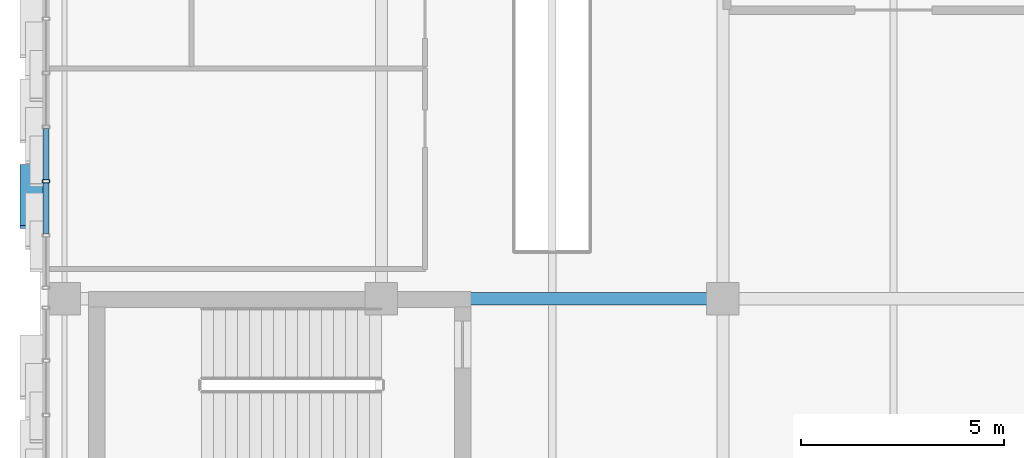
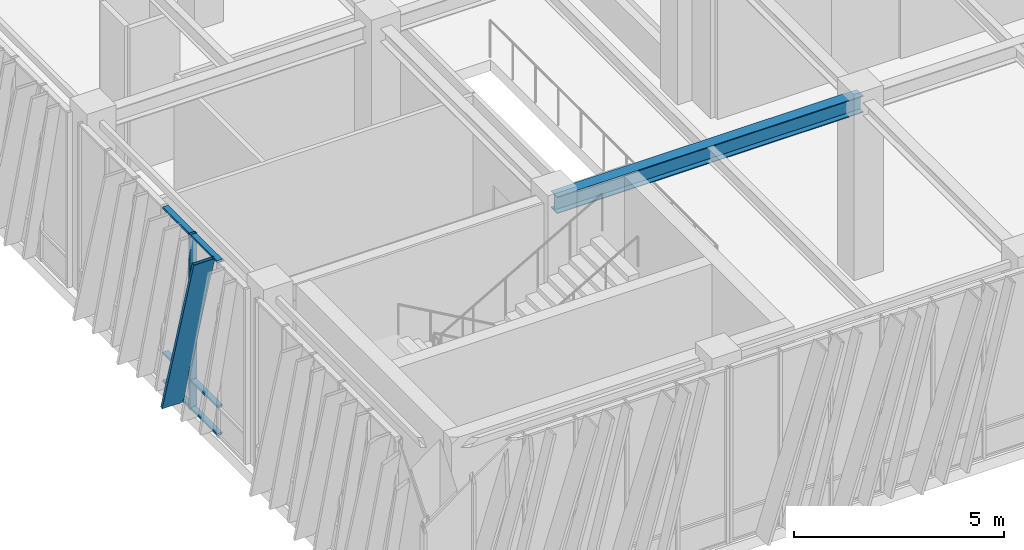
# One storey, part 37 of 139: 8 members, 1 beam, 1 element without a shape of its own.
"""IFC4 building model written with IfcOpenShell, lengths in metres."""

from ifc_helpers import new_model, si_unit, direction, frame, origin, origin_2d, place, context, subcontext, project, spatial, hollow_rectangle, i_section, extrude, material, layer, layer_set, material_profile, profile_set, type_object, element, aggregate, save


model = new_model("IFC4")

# Units and contexts
model_context = context("Model", 3, precision=1e-05, world=origin(), true_north=direction((0.0, 1.0)))
body_context = subcontext(model_context, "Body", "Model", "MODEL_VIEW")
ifc_project = project(units=[si_unit("LENGTHUNIT", "METRE"), si_unit("AREAUNIT", "SQUARE_METRE"), si_unit("VOLUMEUNIT", "CUBIC_METRE"), si_unit("PLANEANGLEUNIT", "RADIAN"), si_unit("MASSUNIT", "GRAM", prefix="KILO")], contexts=[model_context])

# Site, building, storey
site_placement = place(None, origin())
site = spatial("IfcSite", under=ifc_project, at=site_placement, CompositionType="ELEMENT")
building_placement = place(site_placement, origin())
building = spatial("IfcBuilding", under=site, at=building_placement, Name="Zayran Congress Hotel", CompositionType="ELEMENT")
storey_placement = place(building_placement, frame((0.0, 0.0, 5.39990234375)))
storey = spatial("IfcBuildingStorey", under=building, at=storey_placement, Name="L01", CompositionType="ELEMENT", Elevation=5.39990234375)

# Beam
ifc_material_1 = material(Name="Steel S355", Category="steel")
ifc_material_profile_1 = material_profile(ifc_material_1, i_section(OverallWidth=0.300048828125, OverallDepth=0.489990234375, WebThickness=0.011962890625, FlangeThickness=0.02294921875, at=origin_2d()), Name="HEA 500")
ifc_profile_set_1 = profile_set([ifc_material_profile_1], Name="Steel S355")
beam_type = type_object("IfcBeamType", Name="TP-BM-05", PredefinedType="BEAM", material=ifc_profile_set_1)
beam_placement = place(storey_placement, frame((16.800048828125, 76.0, 4.835205078125), z_axis=(1.0, 0.0, 0.0), x_axis=(0.0, 1.0, 0.0)))
element("IfcBeam", 1, at=beam_placement, inside=storey, type_object=beam_type, Name="BM-V1-L01-0524", PredefinedType="BEAM", context=body_context, shape_type="SweptSolid", body=[
    extrude(i_section(OverallWidth=0.300048828125, OverallDepth=0.489990234375, WebThickness=0.011962890625, FlangeThickness=0.02294921875, at=origin_2d()), origin(), (0.0, 0.0, 1.0), 8.39990234375),
])

# Curtain wall, members
ifc_material_2 = material(Name="Anodised aluminium and low-E insulated glass", Category="aluminium")
ifc_layer = layer(ifc_material_2, 0.179931640625)
ifc_layer_set = layer_set([ifc_layer], Name="Anodised aluminium and low-E insulated glass")
curtain_wall_type = type_object("IfcCurtainWallType", Name="CW-V1W-L01-CW-32-7990-5080", PredefinedType="USERDEFINED", material=ifc_layer_set)
curtain_wall_placement = place(storey_placement, origin())
curtain_wall = element("IfcCurtainWall", 2, at=curtain_wall_placement, inside=storey, type_object=curtain_wall_type, Name="CW-V1W-L01-1", ObjectType="CURTAIN WALL", PredefinedType="USERDEFINED")
ifc_material_3 = material(Name="Anodised aluminium framing", Category="aluminium")
ifc_material_profile_2 = material_profile(ifc_material_3, hollow_rectangle(XDim=0.080078125, YDim=0.179931640625, WallThickness=0.0048828125, at=origin_2d()), Name="RHS 180x80x5")
ifc_profile_set_2 = profile_set([ifc_material_profile_2], Name="Anodised aluminium framing")
member_type_1 = type_object("IfcMemberType", Name="TP-CWM-01", PredefinedType="MULLION", material=ifc_profile_set_2)
member_1_placement = place(storey_placement, frame((8.550048828125, 78.893310546875, 0.0), z_axis=(0.0, 0.0, 1.0), x_axis=(0.0, 1.0, 0.0)))
member_1 = element("IfcMember", 3, at=member_1_placement, type_object=member_type_1, Name="CW-V1W-L01-1-M04", PredefinedType="MULLION", context=body_context, shape_type="SweptSolid", body=[
    extrude(hollow_rectangle(XDim=0.080078125, YDim=0.179931640625, WallThickness=0.0048828125, at=origin_2d()), origin(), (0.0, 0.0, 1.0), 5.080078125),
])
ifc_material_profile_3 = material_profile(ifc_material_3, hollow_rectangle(XDim=0.06005859375, YDim=0.14990234375, WallThickness=0.00390625, at=origin_2d()), Name="RHS 150x60x4")
ifc_profile_set_3 = profile_set([ifc_material_profile_3], Name="Anodised aluminium framing")
member_type_2 = type_object("IfcMemberType", Name="TP-CWT-01", PredefinedType="USERDEFINED", material=ifc_profile_set_3)
member_2_placement = place(storey_placement, frame((8.550048828125, 80.18505859375, 0.030029296875), z_axis=(0.0, -1.0, 0.0), x_axis=(0.0, 0.0, 1.0)))
member_2 = element("IfcMember", 4, at=member_2_placement, type_object=member_type_2, Name="CW-V1W-L01-1-T03-0", ObjectType="TRANSOM", PredefinedType="USERDEFINED", context=body_context, shape_type="SweptSolid", body=[
    extrude(hollow_rectangle(XDim=0.06005859375, YDim=0.14990234375, WallThickness=0.00390625, at=origin_2d()), origin(), (0.0, 0.0, 1.0), 1.251708984375),
])
member_3_placement = place(storey_placement, frame((8.550048828125, 80.18505859375, 0.840087890625), z_axis=(0.0, -1.0, 0.0), x_axis=(0.0, 0.0, 1.0)))
member_3 = element("IfcMember", 5, at=member_3_placement, type_object=member_type_2, Name="CW-V1W-L01-1-T03-1", ObjectType="TRANSOM", PredefinedType="USERDEFINED", context=body_context, shape_type="SweptSolid", body=[
    extrude(hollow_rectangle(XDim=0.06005859375, YDim=0.14990234375, WallThickness=0.00390625, at=origin_2d()), origin(), (0.0, 0.0, 1.0), 1.251708984375),
])
member_4_placement = place(storey_placement, frame((8.550048828125, 80.18505859375, 5.050048828125), z_axis=(0.0, -1.0, 0.0), x_axis=(0.0, 0.0, 1.0)))
member_4 = element("IfcMember", 6, at=member_4_placement, type_object=member_type_2, Name="CW-V1W-L01-1-T03-2", ObjectType="TRANSOM", PredefinedType="USERDEFINED", context=body_context, shape_type="SweptSolid", body=[
    extrude(hollow_rectangle(XDim=0.06005859375, YDim=0.14990234375, WallThickness=0.00390625, at=origin_2d()), origin(), (0.0, 0.0, 1.0), 1.251708984375),
])
member_5_placement = place(storey_placement, frame((8.550048828125, 78.853271484375, 0.030029296875), z_axis=(0.0, -1.0, 0.0), x_axis=(0.0, 0.0, 1.0)))
member_5 = element("IfcMember", 7, at=member_5_placement, type_object=member_type_2, Name="CW-V1W-L01-1-T04-0", ObjectType="TRANSOM", PredefinedType="USERDEFINED", context=body_context, shape_type="SweptSolid", body=[
    extrude(hollow_rectangle(XDim=0.06005859375, YDim=0.14990234375, WallThickness=0.00390625, at=origin_2d()), origin(), (0.0, 0.0, 1.0), 1.25146484375),
])
member_6_placement = place(storey_placement, frame((8.550048828125, 78.853271484375, 0.840087890625), z_axis=(0.0, -1.0, 0.0), x_axis=(0.0, 0.0, 1.0)))
member_6 = element("IfcMember", 8, at=member_6_placement, type_object=member_type_2, Name="CW-V1W-L01-1-T04-1", ObjectType="TRANSOM", PredefinedType="USERDEFINED", context=body_context, shape_type="SweptSolid", body=[
    extrude(hollow_rectangle(XDim=0.06005859375, YDim=0.14990234375, WallThickness=0.00390625, at=origin_2d()), origin(), (0.0, 0.0, 1.0), 1.25146484375),
])
member_7_placement = place(storey_placement, frame((8.550048828125, 78.853271484375, 5.050048828125), z_axis=(0.0, -1.0, 0.0), x_axis=(0.0, 0.0, 1.0)))
member_7 = element("IfcMember", 9, at=member_7_placement, type_object=member_type_2, Name="CW-V1W-L01-1-T04-2", ObjectType="TRANSOM", PredefinedType="USERDEFINED", context=body_context, shape_type="SweptSolid", body=[
    extrude(hollow_rectangle(XDim=0.06005859375, YDim=0.14990234375, WallThickness=0.00390625, at=origin_2d()), origin(), (0.0, 0.0, 1.0), 1.25146484375),
])
ifc_material_4 = material(Name="Warm bronze anodised aluminium", Category="aluminium")
ifc_material_profile_4 = material_profile(ifc_material_4, hollow_rectangle(XDim=0.080078125, YDim=0.580078125, WallThickness=0.006103515625, at=origin_2d()), Name="RHS 580x80x6")
ifc_profile_set_4 = profile_set([ifc_material_profile_4], Name="Warm bronze anodised aluminium")
member_type_3 = type_object("IfcMemberType", Name="TP-RFN-01", PredefinedType="MULLION", material=ifc_profile_set_4)
member_8_placement = place(storey_placement, frame((8.199951171875, 79.27001953125, 0.0), z_axis=(0.0, -0.284031848834, 0.958814845968), x_axis=(0.0, 0.958814845968, 0.284031848834)))
member_8 = element("IfcMember", 10, at=member_8_placement, type_object=member_type_3, Name="Slanting Reed Mullion CW-32-07", PredefinedType="MULLION", context=body_context, shape_type="SweptSolid", body=[
    extrude(hollow_rectangle(XDim=0.080078125, YDim=0.580078125, WallThickness=0.006103515625, at=origin_2d()), origin(), (0.0, 0.0, 1.0), 5.29833984375),
])
aggregate(curtain_wall, [member_1, member_2, member_3, member_4, member_5, member_6, member_7, member_8])

save(model, "model.ifc")
